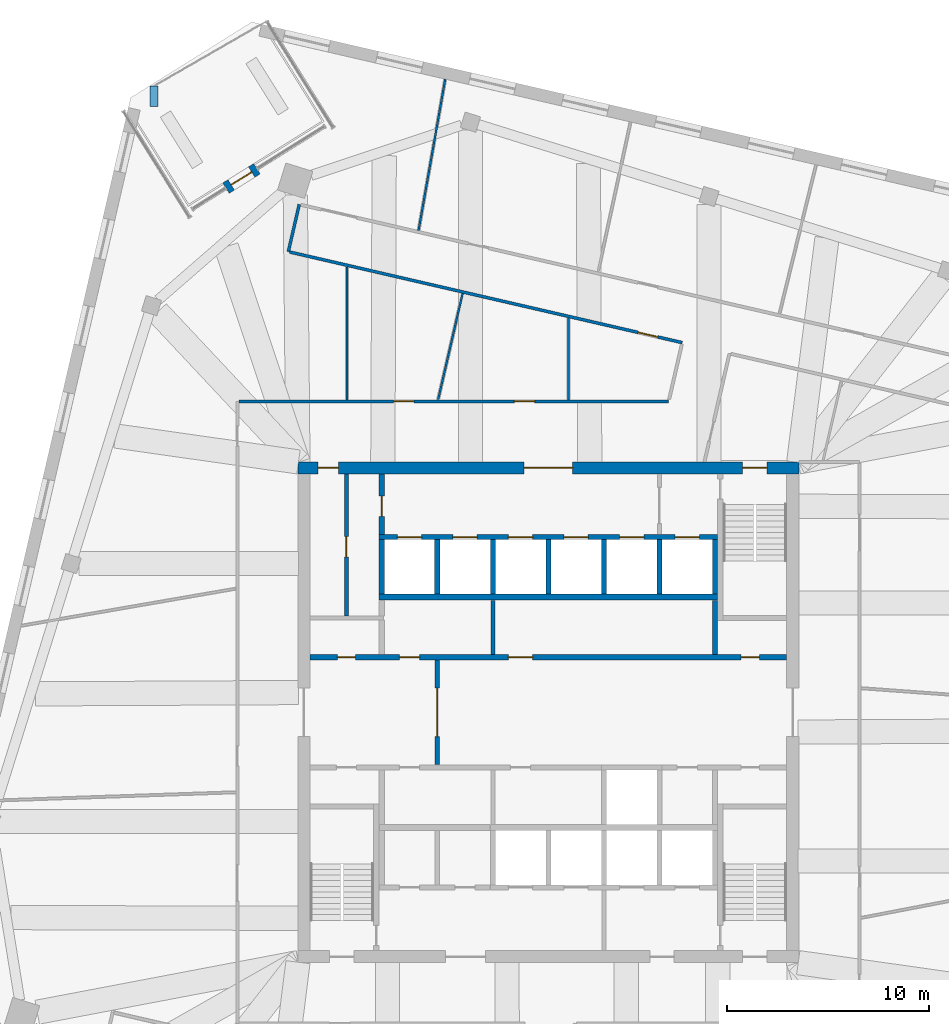
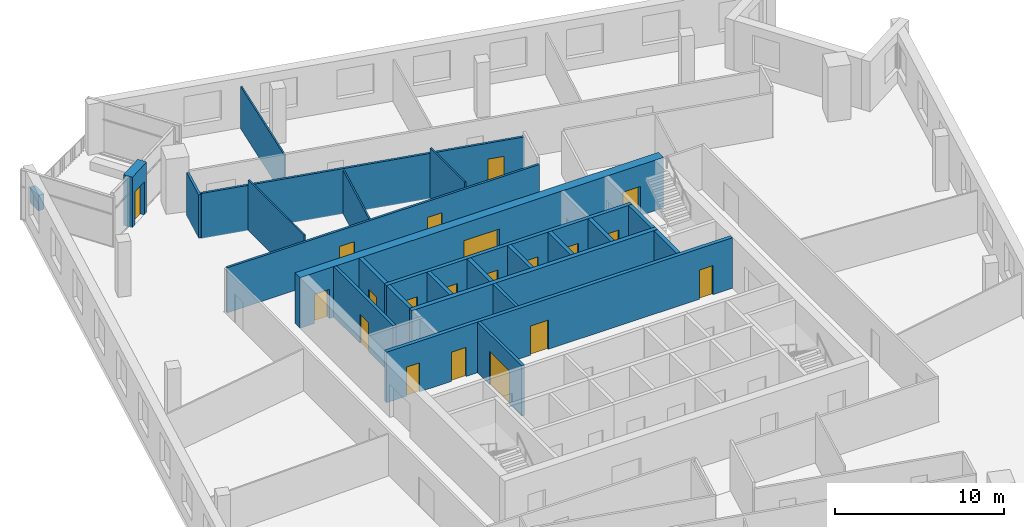
# One storey, part 9 of 14: 25 walls, 20 doors, 20 openings.
"""IFC4 building model written with IfcOpenShell, lengths in metres."""

from ifc_helpers import new_model, si_unit, direction, frame, frame_2d, origin, place, context, subcontext, project, spatial, rectangle, extrude, material, layer, layer_set, type_object, element, fill, save


model = new_model("IFC4")

# Units and contexts
model_context = context("Model", 3, precision=1e-05, world=origin(), true_north=direction((0.0, 1.0)))
body_context = subcontext(model_context, "Body", "Model", "MODEL_VIEW")
ifc_project = project(units=[si_unit("LENGTHUNIT", "METRE"), si_unit("AREAUNIT", "SQUARE_METRE"), si_unit("VOLUMEUNIT", "CUBIC_METRE"), si_unit("PLANEANGLEUNIT", "RADIAN"), si_unit("MASSUNIT", "GRAM", prefix="KILO")], contexts=[model_context])

# Site, building, storey
site_placement = place(None, origin())
site = spatial("IfcSite", under=ifc_project, at=site_placement, CompositionType="ELEMENT")
building_placement = place(site_placement, origin())
building = spatial("IfcBuilding", under=site, at=building_placement, Name="Dilmun Exchange Tower", CompositionType="ELEMENT")
storey_placement = place(building_placement, frame((0.0, 0.0, 340.5)))
storey = spatial("IfcBuildingStorey", under=building, at=storey_placement, Name="L81", CompositionType="ELEMENT", Elevation=340.5)

# Wall, opening, door
ifc_material_1 = material(Name="Concrete C40/50", Category="concrete")
ifc_layer_1 = layer(ifc_material_1, 0.199951171875)
ifc_layer_set_1 = layer_set([ifc_layer_1], Name="Concrete C40/50")
wall_type_1 = type_object("IfcWallType", Name="Core partition wall 200", PredefinedType="PARTITIONING", material=ifc_layer_set_1)
wall_1_placement = place(storey_placement, frame((-5.5, -2.594970703125, 0.0), z_axis=(0.0, 0.0, 1.0), x_axis=(0.0, 1.0, 0.0)))
wall_1 = element("IfcWall", 1, at=wall_1_placement, inside=storey, type_object=wall_type_1, Name="L81 core partition wall 11", PredefinedType="PARTITIONING", context=body_context, shape_type="SweptSolid", body=[
    extrude(rectangle(XDim=5.18994140625, YDim=0.199951171875, at=frame_2d((2.594970703125, 0.0))), origin(), (0.0, 0.0, 1.0), 3.64990234375),
])
opening_1_placement = place(wall_1_placement, frame((1.39501953125, 0.0, 0.0)))
opening_1 = element("IfcOpeningElement", 2, at=opening_1_placement, cuts=wall_1, Name="Opening CD1", PredefinedType="OPENING", context=body_context, shape_type="SweptSolid", body=[
    extrude(rectangle(XDim=2.39990234375, YDim=2.39990234375, at=frame_2d((1.199951171875, 1.199951171875))), frame((0.0, 0.10986328125, 0.0), z_axis=(0.0, -1.0, 0.0), x_axis=(1.0, 0.0, 0.0)), (0.0, 0.0, 1.0), 0.219970703125),
])
ifc_material_2 = material(Name="Fire-rated steel door set", Category="steel")
door_type_1 = type_object("IfcDoorType", Name="Core lobby door 2400x2400", OperationType="DOUBLE_DOOR_DOUBLE_SWING", PredefinedType="DOOR", material=ifc_material_2)
door_1_placement = place(opening_1_placement, origin())
door_1 = element("IfcDoor", 3, at=door_1_placement, inside=storey, type_object=door_type_1, Name="L81 door Lift lobby east", OperationType="DOUBLE_DOOR_DOUBLE_SWING", OverallHeight=2.39990234375, OverallWidth=2.39990234375, PredefinedType="DOOR", context=body_context, shape_type="SweptSolid", body=[
    extrude(rectangle(XDim=2.39990234375, YDim=2.39990234375, at=frame_2d((1.199951171875, 1.199951171875))), frame((0.0, 0.02490234375, 0.0), z_axis=(0.0, -1.0, 0.0), x_axis=(1.0, 0.0, 0.0)), (0.0, 0.0, 1.0), 0.050048828125),
])
fill(opening_1, door_1)

# Wall
wall_2_placement = place(storey_placement, frame((-2.75, 2.85498046875, 0.0), z_axis=(0.0, 0.0, 1.0), x_axis=(0.0, 1.0, 0.0)))
element("IfcWall", 4, at=wall_2_placement, inside=storey, type_object=wall_type_1, Name="L81 core partition wall 14", PredefinedType="PARTITIONING", context=body_context, shape_type="SweptSolid", body=[
    extrude(rectangle(XDim=2.68994140625, YDim=0.199951171875, at=frame_2d((1.344970703125, 0.0))), origin(), (0.0, 0.0, 1.0), 3.64990234375),
])

# Wall, opening, door
wall_3_placement = place(storey_placement, frame((-10.0, 4.780029296875, 0.0), z_axis=(0.0, 0.0, 1.0), x_axis=(0.0, 1.0, 0.0)))
wall_3 = element("IfcWall", 5, at=wall_3_placement, inside=storey, type_object=wall_type_1, Name="L81 core partition wall 17", PredefinedType="PARTITIONING", context=body_context, shape_type="SweptSolid", body=[
    extrude(rectangle(XDim=7.014892578125, YDim=0.199951171875, at=frame_2d((3.50732421875, 0.0))), origin(), (0.0, 0.0, 1.0), 3.64990234375),
])
opening_2_placement = place(wall_3_placement, frame((2.919921875, 0.0, 0.0)))
opening_2 = element("IfcOpeningElement", 6, at=opening_2_placement, cuts=wall_3, Name="Opening CD4", PredefinedType="OPENING", context=body_context, shape_type="SweptSolid", body=[
    extrude(rectangle(XDim=1.0, YDim=2.10009765625, at=frame_2d((0.5, 1.050048828125))), frame((0.0, 0.10986328125, 0.0), z_axis=(0.0, -1.0, 0.0), x_axis=(1.0, 0.0, 0.0)), (0.0, 0.0, 1.0), 0.219970703125),
])
door_type_2 = type_object("IfcDoorType", Name="Core room door 1000x2100", OperationType="SINGLE_SWING_LEFT", PredefinedType="DOOR", material=ifc_material_2)
door_2_placement = place(opening_2_placement, origin())
door_2 = element("IfcDoor", 7, at=door_2_placement, inside=storey, type_object=door_type_2, Name="L81 door Comms room", OperationType="SINGLE_SWING_RIGHT", OverallHeight=2.10009765625, OverallWidth=1.0, PredefinedType="DOOR", context=body_context, shape_type="SweptSolid", body=[
    extrude(rectangle(XDim=1.0, YDim=2.10009765625, at=frame_2d((0.5, 1.050048828125))), frame((0.0, 0.02490234375, 0.0), z_axis=(0.0, -1.0, 0.0), x_axis=(1.0, 0.0, 0.0)), (0.0, 0.0, 1.0), 0.050048828125),
])
fill(opening_2, door_2)

# Wall, openings, doors
ifc_layer_2 = layer(ifc_material_1, 0.25)
ifc_layer_set_2 = layer_set([ifc_layer_2], Name="Concrete C40/50")
wall_type_2 = type_object("IfcWallType", Name="Core partition wall 250", PredefinedType="PARTITIONING", material=ifc_layer_set_2)
wall_4_placement = place(storey_placement, frame((-11.794921875, 2.72509765625, 0.0), z_axis=(0.0, 0.0, 1.0), x_axis=(1.0, 0.0, 0.0)))
wall_4 = element("IfcWall", 8, at=wall_4_placement, inside=storey, type_object=wall_type_2, Name="L81 core partition wall 12", PredefinedType="PARTITIONING", context=body_context, shape_type="SweptSolid", body=[
    extrude(rectangle(XDim=23.58984375, YDim=0.25, at=frame_2d((11.794921875, 0.0))), origin(), (0.0, 0.0, 1.0), 3.64990234375),
])
opening_3_placement = place(wall_4_placement, frame((21.344970703125, 0.0, 0.0)))
opening_3 = element("IfcOpeningElement", 9, at=opening_3_placement, cuts=wall_4, Name="Opening CD6", PredefinedType="OPENING", context=body_context, shape_type="SweptSolid", body=[
    extrude(rectangle(XDim=0.89990234375, YDim=2.10009765625, at=frame_2d((0.449951171875, 1.050048828125))), frame((0.0, 0.135009765625, 0.0), z_axis=(0.0, -1.0, 0.0), x_axis=(1.0, 0.0, 0.0)), (0.0, 0.0, 1.0), 0.27001953125),
])
opening_4_placement = place(wall_4_placement, frame((1.344970703125, 0.0, 0.0)))
opening_4 = element("IfcOpeningElement", 10, at=opening_4_placement, cuts=wall_4, Name="Opening CD6", PredefinedType="OPENING", context=body_context, shape_type="SweptSolid", body=[
    extrude(rectangle(XDim=0.89990234375, YDim=2.10009765625, at=frame_2d((0.449951171875, 1.050048828125))), frame((0.0, 0.135009765625, 0.0), z_axis=(0.0, -1.0, 0.0), x_axis=(1.0, 0.0, 0.0)), (0.0, 0.0, 1.0), 0.27001953125),
])
opening_5_placement = place(wall_4_placement, frame((4.419921875, 0.0, 0.0)))
opening_5 = element("IfcOpeningElement", 11, at=opening_5_placement, cuts=wall_4, Name="Opening CD4", PredefinedType="OPENING", context=body_context, shape_type="SweptSolid", body=[
    extrude(rectangle(XDim=1.0, YDim=2.10009765625, at=frame_2d((0.5, 1.050048828125))), frame((0.0, 0.135009765625, 0.0), z_axis=(0.0, -1.0, 0.0), x_axis=(1.0, 0.0, 0.0)), (0.0, 0.0, 1.0), 0.27001953125),
])
opening_6_placement = place(wall_4_placement, frame((9.820068359375, 0.0, 0.0)))
opening_6 = element("IfcOpeningElement", 12, at=opening_6_placement, cuts=wall_4, Name="Opening CD3", PredefinedType="OPENING", context=body_context, shape_type="SweptSolid", body=[
    extrude(rectangle(XDim=1.199951171875, YDim=2.10009765625, at=frame_2d((0.60009765625, 1.050048828125))), frame((0.0, 0.135009765625, 0.0), z_axis=(0.0, -1.0, 0.0), x_axis=(1.0, 0.0, 0.0)), (0.0, 0.0, 1.0), 0.27001953125),
])
door_3_placement = place(opening_5_placement, origin())
door_3 = element("IfcDoor", 13, at=door_3_placement, inside=storey, type_object=door_type_2, Name="L81 door Switch room", OperationType="SINGLE_SWING_RIGHT", OverallHeight=2.10009765625, OverallWidth=1.0, PredefinedType="DOOR", context=body_context, shape_type="SweptSolid", body=[
    extrude(rectangle(XDim=1.0, YDim=2.10009765625, at=frame_2d((0.5, 1.050048828125))), frame((0.0, 0.02490234375, 0.0), z_axis=(0.0, -1.0, 0.0), x_axis=(1.0, 0.0, 0.0)), (0.0, 0.0, 1.0), 0.050048828125),
])
fill(opening_5, door_3)
door_type_3 = type_object("IfcDoorType", Name="Core room door 900x2100", OperationType="SINGLE_SWING_LEFT", PredefinedType="DOOR", material=ifc_material_2)
door_4_placement = place(opening_3_placement, origin())
door_4 = element("IfcDoor", 14, at=door_4_placement, inside=storey, type_object=door_type_3, Name="L81 door Electrical riser", OperationType="SINGLE_SWING_RIGHT", OverallHeight=2.10009765625, OverallWidth=0.89990234375, PredefinedType="DOOR", context=body_context, shape_type="SweptSolid", body=[
    extrude(rectangle(XDim=0.89990234375, YDim=2.10009765625, at=frame_2d((0.449951171875, 1.050048828125))), frame((0.0, 0.02490234375, 0.0), z_axis=(0.0, -1.0, 0.0), x_axis=(1.0, 0.0, 0.0)), (0.0, 0.0, 1.0), 0.050048828125),
])
fill(opening_3, door_4)
door_5_placement = place(opening_4_placement, origin())
door_5 = element("IfcDoor", 15, at=door_5_placement, inside=storey, type_object=door_type_3, Name="L81 door Plumbing riser", OperationType="SINGLE_SWING_RIGHT", OverallHeight=2.10009765625, OverallWidth=0.89990234375, PredefinedType="DOOR", context=body_context, shape_type="SweptSolid", body=[
    extrude(rectangle(XDim=0.89990234375, YDim=2.10009765625, at=frame_2d((0.449951171875, 1.050048828125))), frame((0.0, 0.02490234375, 0.0), z_axis=(0.0, -1.0, 0.0), x_axis=(1.0, 0.0, 0.0)), (0.0, 0.0, 1.0), 0.050048828125),
])
fill(opening_4, door_5)
door_type_4 = type_object("IfcDoorType", Name="Stair exit door 1200x2100", OperationType="SINGLE_SWING_LEFT", PredefinedType="DOOR", material=ifc_material_2)
door_6_placement = place(opening_6_placement, origin())
door_6 = element("IfcDoor", 16, at=door_6_placement, inside=storey, type_object=door_type_4, Name="L81 door Quiet working room", OperationType="SINGLE_SWING_LEFT", OverallHeight=2.10009765625, OverallWidth=1.199951171875, PredefinedType="DOOR", context=body_context, shape_type="SweptSolid", body=[
    extrude(rectangle(XDim=1.199951171875, YDim=2.10009765625, at=frame_2d((0.60009765625, 1.050048828125))), frame((0.0, 0.02490234375, 0.0), z_axis=(0.0, -1.0, 0.0), x_axis=(1.0, 0.0, 0.0)), (0.0, 0.0, 1.0), 0.050048828125),
])
fill(opening_6, door_6)

# Wall
wall_5_placement = place(storey_placement, frame((8.25, 2.85498046875, 0.0), z_axis=(0.0, 0.0, 1.0), x_axis=(0.0, 1.0, 0.0)))
element("IfcWall", 17, at=wall_5_placement, inside=storey, type_object=wall_type_2, Name="L81 core partition wall 15", PredefinedType="PARTITIONING", context=body_context, shape_type="SweptSolid", body=[
    extrude(rectangle(XDim=2.68994140625, YDim=0.25, at=frame_2d((1.344970703125, 0.0))), origin(), (0.0, 0.0, 1.0), 3.64990234375),
])

# Wall, opening, door
wall_6_placement = place(storey_placement, frame((-8.25, 8.804931640625, 0.0), z_axis=(0.0, 0.0, 1.0), x_axis=(0.0, 1.0, 0.0)))
wall_6 = element("IfcWall", 18, at=wall_6_placement, inside=storey, type_object=wall_type_2, Name="L81 core partition wall 19", PredefinedType="PARTITIONING", context=body_context, shape_type="SweptSolid", body=[
    extrude(rectangle(XDim=2.989990234375, YDim=0.25, at=frame_2d((1.4951171875, 0.0))), origin(), (0.0, 0.0, 1.0), 3.64990234375),
])
opening_7_placement = place(wall_6_placement, frame((0.89501953125, 0.0, 0.0)))
opening_7 = element("IfcOpeningElement", 19, at=opening_7_placement, cuts=wall_6, Name="Opening CD4", PredefinedType="OPENING", context=body_context, shape_type="SweptSolid", body=[
    extrude(rectangle(XDim=1.0, YDim=2.10009765625, at=frame_2d((0.5, 1.050048828125))), frame((0.0, 0.135009765625, 0.0), z_axis=(0.0, -1.0, 0.0), x_axis=(1.0, 0.0, 0.0)), (0.0, 0.0, 1.0), 0.27001953125),
])
door_7_placement = place(opening_7_placement, origin())
door_7 = element("IfcDoor", 20, at=door_7_placement, inside=storey, type_object=door_type_2, Name="L81 door Security room", OperationType="SINGLE_SWING_RIGHT", OverallHeight=2.10009765625, OverallWidth=1.0, PredefinedType="DOOR", context=body_context, shape_type="SweptSolid", body=[
    extrude(rectangle(XDim=1.0, YDim=2.10009765625, at=frame_2d((0.5, 1.050048828125))), frame((0.0, 0.02490234375, 0.0), z_axis=(0.0, -1.0, 0.0), x_axis=(1.0, 0.0, 0.0)), (0.0, 0.0, 1.0), 0.050048828125),
])
fill(opening_7, door_7)

# Wall, openings, doors
ifc_material_3 = material(Name="Concrete C50/60", Category="concrete")
ifc_layer_3 = layer(ifc_material_3, 0.60009765625)
ifc_layer_set_3 = layer_set([ifc_layer_3], Name="Concrete C50/60")
wall_type_3 = type_object("IfcWallType", Name="Core shear wall 600 Concrete C50/60", PredefinedType="SHEAR", material=ifc_layer_set_3)
wall_7_placement = place(storey_placement, frame((-12.39990234375, 12.10009765625, 0.0), z_axis=(0.0, 0.0, 1.0), x_axis=(1.0, 0.0, 0.0)))
wall_7 = element("IfcWall", 21, at=wall_7_placement, inside=storey, type_object=wall_type_3, Name="L81 core shear wall N", PredefinedType="SHEAR", context=body_context, shape_type="SweptSolid", body=[
    extrude(rectangle(XDim=24.7998046875, YDim=0.60009765625, at=frame_2d((12.39990234375, 0.0))), origin(), (0.0, 0.0, 1.0), 3.64990234375),
])
opening_8_placement = place(wall_7_placement, frame((11.199951171875, 0.0, 0.0)))
opening_8 = element("IfcOpeningElement", 22, at=opening_8_placement, cuts=wall_7, Name="Opening CD1", PredefinedType="OPENING", context=body_context, shape_type="SweptSolid", body=[
    extrude(rectangle(XDim=2.39990234375, YDim=2.39990234375, at=frame_2d((1.199951171875, 1.199951171875))), frame((0.0, 0.31005859375, 0.0), z_axis=(0.0, -1.0, 0.0), x_axis=(1.0, 0.0, 0.0)), (0.0, 0.0, 1.0), 0.6201171875),
])
opening_9_placement = place(wall_7_placement, frame((22.02490234375, 0.0, 0.0)))
opening_9 = element("IfcOpeningElement", 23, at=opening_9_placement, cuts=wall_7, Name="Opening CD3", PredefinedType="OPENING", context=body_context, shape_type="SweptSolid", body=[
    extrude(rectangle(XDim=1.199951171875, YDim=2.10009765625, at=frame_2d((0.60009765625, 1.050048828125))), frame((0.0, 0.31005859375, 0.0), z_axis=(0.0, -1.0, 0.0), x_axis=(1.0, 0.0, 0.0)), (0.0, 0.0, 1.0), 0.6201171875),
])
opening_10_placement = place(wall_7_placement, frame((1.0, 0.0, 0.0)))
opening_10 = element("IfcOpeningElement", 24, at=opening_10_placement, cuts=wall_7, Name="Opening CD4", PredefinedType="OPENING", context=body_context, shape_type="SweptSolid", body=[
    extrude(rectangle(XDim=1.0, YDim=2.10009765625, at=frame_2d((0.5, 1.050048828125))), frame((0.0, 0.31005859375, 0.0), z_axis=(0.0, -1.0, 0.0), x_axis=(1.0, 0.0, 0.0)), (0.0, 0.0, 1.0), 0.6201171875),
])
door_8_placement = place(opening_8_placement, origin())
door_8 = element("IfcDoor", 25, at=door_8_placement, inside=storey, type_object=door_type_1, Name="L81 door North lift lobby", OperationType="SINGLE_SWING_LEFT", OverallHeight=2.39990234375, OverallWidth=2.39990234375, PredefinedType="DOOR", context=body_context, shape_type="SweptSolid", body=[
    extrude(rectangle(XDim=2.39990234375, YDim=2.39990234375, at=frame_2d((1.199951171875, 1.199951171875))), frame((0.0, 0.02490234375, 0.0), z_axis=(0.0, -1.0, 0.0), x_axis=(1.0, 0.0, 0.0)), (0.0, 0.0, 1.0), 0.050048828125),
])
fill(opening_8, door_8)
door_9_placement = place(opening_10_placement, origin())
door_9 = element("IfcDoor", 26, at=door_9_placement, inside=storey, type_object=door_type_2, Name="L81 door North-west core rooms", OperationType="SINGLE_SWING_LEFT", OverallHeight=2.10009765625, OverallWidth=1.0, PredefinedType="DOOR", context=body_context, shape_type="SweptSolid", body=[
    extrude(rectangle(XDim=1.0, YDim=2.10009765625, at=frame_2d((0.5, 1.050048828125))), frame((0.0, 0.02490234375, 0.0), z_axis=(0.0, -1.0, 0.0), x_axis=(1.0, 0.0, 0.0)), (0.0, 0.0, 1.0), 0.050048828125),
])
fill(opening_10, door_9)
door_10_placement = place(opening_9_placement, origin())
door_10 = element("IfcDoor", 27, at=door_10_placement, inside=storey, type_object=door_type_4, Name="L81 door Stair ST1", OperationType="SINGLE_SWING_LEFT", OverallHeight=2.10009765625, OverallWidth=1.199951171875, PredefinedType="DOOR", context=body_context, shape_type="SweptSolid", body=[
    extrude(rectangle(XDim=1.199951171875, YDim=2.10009765625, at=frame_2d((0.60009765625, 1.050048828125))), frame((0.0, 0.02490234375, 0.0), z_axis=(0.0, -1.0, 0.0), x_axis=(1.0, 0.0, 0.0)), (0.0, 0.0, 1.0), 0.050048828125),
])
fill(opening_9, door_10)

ifc_material_4 = material(Name="Corridor wall 150")
ifc_layer_4 = layer(ifc_material_4, 0.14990234375)
ifc_layer_set_4 = layer_set([ifc_layer_4], Name="Corridor wall 150")
wall_type_4 = type_object("IfcWallType", Name="Corridor wall 150", PredefinedType="PARTITIONING", material=ifc_layer_set_4)
wall_8_placement = place(storey_placement, frame((-15.324951171875, 15.39990234375, 0.0), z_axis=(0.0, 0.0, 1.0), x_axis=(1.0, 0.0, 0.0)))
wall_8 = element("IfcWall", 28, at=wall_8_placement, inside=storey, type_object=wall_type_4, Name="Corridor wall", PredefinedType="PARTITIONING", context=body_context, shape_type="SweptSolid", body=[
    extrude(rectangle(XDim=21.284912109375, YDim=0.14990234375, at=frame_2d((10.642578125, 0.0))), origin(), (0.0, 0.0, 1.0), 3.25),
])
opening_11_placement = place(wall_8_placement, frame((7.665283203125, 0.0, 0.0)))
opening_11 = element("IfcOpeningElement", 29, at=opening_11_placement, cuts=wall_8, Name="Opening TF79-D07", PredefinedType="OPENING", context=body_context, shape_type="SweptSolid", body=[
    extrude(rectangle(XDim=1.0, YDim=2.10009765625, at=frame_2d((0.5, 1.050048828125))), frame((0.0, 0.0849609375, 0.0), z_axis=(0.0, -1.0, 0.0), x_axis=(1.0, 0.0, 0.0)), (0.0, 0.0, 1.0), 0.169921875),
])
opening_12_placement = place(wall_8_placement, frame((13.646728515625, 0.0, 0.0)))
opening_12 = element("IfcOpeningElement", 30, at=opening_12_placement, cuts=wall_8, Name="Opening TF79-D09", PredefinedType="OPENING", context=body_context, shape_type="SweptSolid", body=[
    extrude(rectangle(XDim=1.0, YDim=2.10009765625, at=frame_2d((0.5, 1.050048828125))), frame((0.0, 0.0849609375, 0.0), z_axis=(0.0, -1.0, 0.0), x_axis=(1.0, 0.0, 0.0)), (0.0, 0.0, 1.0), 0.169921875),
])
ifc_material_5 = material(Name="Fire door 1000 x 2100")
door_type_5 = type_object("IfcDoorType", Name="Fire door 1000 x 2100", OperationType="NOTDEFINED", PredefinedType="DOOR", material=ifc_material_5)
door_11_placement = place(opening_11_placement, origin())
door_11 = element("IfcDoor", 31, at=door_11_placement, inside=storey, type_object=door_type_5, Name="Door TF79-D07", OperationType="SINGLE_SWING_LEFT", OverallHeight=2.10009765625, OverallWidth=1.0, PredefinedType="DOOR", context=body_context, shape_type="SweptSolid", body=[
    extrude(rectangle(XDim=1.0, YDim=2.10009765625, at=frame_2d((0.5, 1.050048828125))), frame((0.0, 0.02490234375, 0.0), z_axis=(0.0, -1.0, 0.0), x_axis=(1.0, 0.0, 0.0)), (0.0, 0.0, 1.0), 0.050048828125),
])
fill(opening_11, door_11)
door_12_placement = place(opening_12_placement, origin())
door_12 = element("IfcDoor", 32, at=door_12_placement, inside=storey, type_object=door_type_5, Name="Door TF79-D09", OperationType="SINGLE_SWING_RIGHT", OverallHeight=2.10009765625, OverallWidth=1.0, PredefinedType="DOOR", context=body_context, shape_type="SweptSolid", body=[
    extrude(rectangle(XDim=1.0, YDim=2.10009765625, at=frame_2d((0.5, 1.050048828125))), frame((0.0, 0.02490234375, 0.0), z_axis=(0.0, -1.0, 0.0), x_axis=(1.0, 0.0, 0.0)), (0.0, 0.0, 1.0), 0.050048828125),
])
fill(opening_12, door_12)

# Wall
wall_9_placement = place(storey_placement, frame((-12.875, 22.806884765625, 0.0), z_axis=(0.0, 0.0, 1.0), x_axis=(0.224956061598, 0.974368908756, 0.0)))
element("IfcWall", 33, at=wall_9_placement, inside=storey, type_object=wall_type_4, Name="Corridor wall", PredefinedType="PARTITIONING", context=body_context, shape_type="SweptSolid", body=[
    extrude(rectangle(XDim=2.400634765625, YDim=0.14990234375, at=frame_2d((1.2001953125, 0.0))), origin(), (0.0, 0.0, 1.0), 3.1298828125),
])

# Wall, opening, door
wall_10_placement = place(storey_placement, frame((-12.802001953125, 22.7900390625, 0.0), z_axis=(0.0, 0.0, 1.0), x_axis=(0.974371384758, -0.224945336838, 0.0)))
wall_10 = element("IfcWall", 34, at=wall_10_placement, inside=storey, type_object=wall_type_4, Name="Corridor wall", PredefinedType="PARTITIONING", context=body_context, shape_type="SweptSolid", body=[
    extrude(rectangle(XDim=19.943115234375, YDim=0.14990234375, at=frame_2d((9.9716796875, 0.0))), origin(), (0.0, 0.0, 1.0), 3.25),
])
opening_13_placement = place(wall_10_placement, frame((17.705078125, 0.0, 0.0)))
opening_13 = element("IfcOpeningElement", 35, at=opening_13_placement, cuts=wall_10, Name="Opening TF79-D12", PredefinedType="OPENING", context=body_context, shape_type="SweptSolid", body=[
    extrude(rectangle(XDim=1.0, YDim=2.10009765625, at=frame_2d((0.5, 1.050048828125))), frame((0.0, 0.0849609375, 0.0), z_axis=(0.0, -1.0, 0.0), x_axis=(1.0, 0.0, 0.0)), (0.0, 0.0, 1.0), 0.169921875),
])
door_13_placement = place(opening_13_placement, frame((1.0, 0.0, 0.0), z_axis=(0.0, 0.0, 1.0), x_axis=(-1.0, 0.0, 0.0)))
door_13 = element("IfcDoor", 36, at=door_13_placement, inside=storey, type_object=door_type_5, Name="Door TF79-D12", OperationType="SINGLE_SWING_RIGHT", OverallHeight=2.10009765625, OverallWidth=1.0, PredefinedType="DOOR", context=body_context, shape_type="SweptSolid", body=[
    extrude(rectangle(XDim=1.0, YDim=2.10009765625, at=frame_2d((0.5, 1.050048828125))), frame((0.0, 0.02490234375, 0.0), z_axis=(0.0, -1.0, 0.0), x_axis=(1.0, 0.0, 0.0)), (0.0, 0.0, 1.0), 0.050048828125),
])
fill(opening_13, door_13)

# Wall
ifc_layer_5 = layer(ifc_material_1, 0.300048828125)
ifc_layer_set_5 = layer_set([ifc_layer_5], Name="Concrete C40/50")
wall_type_5 = type_object("IfcWallType", Name="Lift shaft shared wall 300", PredefinedType="SOLIDWALL", material=ifc_layer_set_5)
wall_11_placement = place(storey_placement, frame((-8.375, 5.699951171875, 0.0), z_axis=(0.0, 0.0, 1.0), x_axis=(1.0, 0.0, 0.0)))
element("IfcWall", 37, at=wall_11_placement, inside=storey, type_object=wall_type_5, Name="L81 lift shaft rear wall N", PredefinedType="SOLIDWALL", context=body_context, shape_type="SweptSolid", body=[
    extrude(rectangle(XDim=16.75, YDim=0.300048828125, at=frame_2d((8.375, 0.0))), origin(), (0.0, 0.0, 1.0), 3.64990234375),
])

# Wall, openings, doors
ifc_layer_6 = layer(ifc_material_1, 0.25)
ifc_layer_set_6 = layer_set([ifc_layer_6], Name="Concrete C40/50")
wall_type_6 = type_object("IfcWallType", Name="Lift shaft wall 250", PredefinedType="SOLIDWALL", material=ifc_layer_set_6)
wall_12_placement = place(storey_placement, frame((-8.375, 8.675048828125, 0.0), z_axis=(0.0, 0.0, 1.0), x_axis=(1.0, 0.0, 0.0)))
wall_12 = element("IfcWall", 38, at=wall_12_placement, inside=storey, type_object=wall_type_6, Name="L81 lift shaft front wall N2", PredefinedType="SOLIDWALL", context=body_context, shape_type="SweptSolid", body=[
    extrude(rectangle(XDim=16.75, YDim=0.25, at=frame_2d((8.375, 0.0))), origin(), (0.0, 0.0, 1.0), 3.64990234375),
])
opening_14_placement = place(wall_12_placement, frame((0.89990234375, 0.0, 0.0)))
opening_14 = element("IfcOpeningElement", 39, at=opening_14_placement, cuts=wall_12, Name="Opening LD", PredefinedType="OPENING", context=body_context, shape_type="SweptSolid", body=[
    extrude(rectangle(XDim=1.199951171875, YDim=2.10009765625, at=frame_2d((0.60009765625, 1.050048828125))), frame((0.0, 0.135009765625, 0.0), z_axis=(0.0, -1.0, 0.0), x_axis=(1.0, 0.0, 0.0)), (0.0, 0.0, 1.0), 0.27001953125),
])
opening_15_placement = place(wall_12_placement, frame((3.64990234375, 0.0, 0.0)))
opening_15 = element("IfcOpeningElement", 40, at=opening_15_placement, cuts=wall_12, Name="Opening LD", PredefinedType="OPENING", context=body_context, shape_type="SweptSolid", body=[
    extrude(rectangle(XDim=1.199951171875, YDim=2.10009765625, at=frame_2d((0.60009765625, 1.050048828125))), frame((0.0, 0.135009765625, 0.0), z_axis=(0.0, -1.0, 0.0), x_axis=(1.0, 0.0, 0.0)), (0.0, 0.0, 1.0), 0.27001953125),
])
opening_16_placement = place(wall_12_placement, frame((6.39990234375, 0.0, 0.0)))
opening_16 = element("IfcOpeningElement", 41, at=opening_16_placement, cuts=wall_12, Name="Opening LD", PredefinedType="OPENING", context=body_context, shape_type="SweptSolid", body=[
    extrude(rectangle(XDim=1.199951171875, YDim=2.10009765625, at=frame_2d((0.60009765625, 1.050048828125))), frame((0.0, 0.135009765625, 0.0), z_axis=(0.0, -1.0, 0.0), x_axis=(1.0, 0.0, 0.0)), (0.0, 0.0, 1.0), 0.27001953125),
])
opening_17_placement = place(wall_12_placement, frame((9.14990234375, 0.0, 0.0)))
opening_17 = element("IfcOpeningElement", 42, at=opening_17_placement, cuts=wall_12, Name="Opening LD", PredefinedType="OPENING", context=body_context, shape_type="SweptSolid", body=[
    extrude(rectangle(XDim=1.199951171875, YDim=2.10009765625, at=frame_2d((0.60009765625, 1.050048828125))), frame((0.0, 0.135009765625, 0.0), z_axis=(0.0, -1.0, 0.0), x_axis=(1.0, 0.0, 0.0)), (0.0, 0.0, 1.0), 0.27001953125),
])
opening_18_placement = place(wall_12_placement, frame((11.89990234375, 0.0, 0.0)))
opening_18 = element("IfcOpeningElement", 43, at=opening_18_placement, cuts=wall_12, Name="Opening LD", PredefinedType="OPENING", context=body_context, shape_type="SweptSolid", body=[
    extrude(rectangle(XDim=1.199951171875, YDim=2.10009765625, at=frame_2d((0.60009765625, 1.050048828125))), frame((0.0, 0.135009765625, 0.0), z_axis=(0.0, -1.0, 0.0), x_axis=(1.0, 0.0, 0.0)), (0.0, 0.0, 1.0), 0.27001953125),
])
opening_19_placement = place(wall_12_placement, frame((14.64990234375, 0.0, 0.0)))
opening_19 = element("IfcOpeningElement", 44, at=opening_19_placement, cuts=wall_12, Name="Opening LD", PredefinedType="OPENING", context=body_context, shape_type="SweptSolid", body=[
    extrude(rectangle(XDim=1.199951171875, YDim=2.10009765625, at=frame_2d((0.60009765625, 1.050048828125))), frame((0.0, 0.135009765625, 0.0), z_axis=(0.0, -1.0, 0.0), x_axis=(1.0, 0.0, 0.0)), (0.0, 0.0, 1.0), 0.27001953125),
])
door_type_6 = type_object("IfcDoorType", Name="Lift landing door 1200x2100", OperationType="DOUBLE_DOOR_SLIDING", PredefinedType="DOOR", material=ifc_material_2)
door_14_placement = place(opening_14_placement, origin())
door_14 = element("IfcDoor", 45, at=door_14_placement, inside=storey, type_object=door_type_6, Name="L81 landing door HR1", OperationType="DOUBLE_DOOR_SLIDING", OverallHeight=2.10009765625, OverallWidth=1.199951171875, PredefinedType="DOOR", context=body_context, shape_type="SweptSolid", body=[
    extrude(rectangle(XDim=1.199951171875, YDim=2.10009765625, at=frame_2d((0.60009765625, 1.050048828125))), frame((0.0, 0.02490234375, 0.0), z_axis=(0.0, -1.0, 0.0), x_axis=(1.0, 0.0, 0.0)), (0.0, 0.0, 1.0), 0.050048828125),
])
fill(opening_14, door_14)
door_15_placement = place(opening_15_placement, origin())
door_15 = element("IfcDoor", 46, at=door_15_placement, inside=storey, type_object=door_type_6, Name="L81 landing door HR2", OperationType="DOUBLE_DOOR_SLIDING", OverallHeight=2.10009765625, OverallWidth=1.199951171875, PredefinedType="DOOR", context=body_context, shape_type="SweptSolid", body=[
    extrude(rectangle(XDim=1.199951171875, YDim=2.10009765625, at=frame_2d((0.60009765625, 1.050048828125))), frame((0.0, 0.02490234375, 0.0), z_axis=(0.0, -1.0, 0.0), x_axis=(1.0, 0.0, 0.0)), (0.0, 0.0, 1.0), 0.050048828125),
])
fill(opening_15, door_15)
door_16_placement = place(opening_16_placement, origin())
door_16 = element("IfcDoor", 47, at=door_16_placement, inside=storey, type_object=door_type_6, Name="L81 landing door HR3", OperationType="DOUBLE_DOOR_SLIDING", OverallHeight=2.10009765625, OverallWidth=1.199951171875, PredefinedType="DOOR", context=body_context, shape_type="SweptSolid", body=[
    extrude(rectangle(XDim=1.199951171875, YDim=2.10009765625, at=frame_2d((0.60009765625, 1.050048828125))), frame((0.0, 0.02490234375, 0.0), z_axis=(0.0, -1.0, 0.0), x_axis=(1.0, 0.0, 0.0)), (0.0, 0.0, 1.0), 0.050048828125),
])
fill(opening_16, door_16)
door_17_placement = place(opening_17_placement, origin())
door_17 = element("IfcDoor", 48, at=door_17_placement, inside=storey, type_object=door_type_6, Name="L81 landing door HR4", OperationType="DOUBLE_DOOR_SLIDING", OverallHeight=2.10009765625, OverallWidth=1.199951171875, PredefinedType="DOOR", context=body_context, shape_type="SweptSolid", body=[
    extrude(rectangle(XDim=1.199951171875, YDim=2.10009765625, at=frame_2d((0.60009765625, 1.050048828125))), frame((0.0, 0.02490234375, 0.0), z_axis=(0.0, -1.0, 0.0), x_axis=(1.0, 0.0, 0.0)), (0.0, 0.0, 1.0), 0.050048828125),
])
fill(opening_17, door_17)
door_18_placement = place(opening_18_placement, origin())
door_18 = element("IfcDoor", 49, at=door_18_placement, inside=storey, type_object=door_type_6, Name="L81 landing door HR5", OperationType="DOUBLE_DOOR_SLIDING", OverallHeight=2.10009765625, OverallWidth=1.199951171875, PredefinedType="DOOR", context=body_context, shape_type="SweptSolid", body=[
    extrude(rectangle(XDim=1.199951171875, YDim=2.10009765625, at=frame_2d((0.60009765625, 1.050048828125))), frame((0.0, 0.02490234375, 0.0), z_axis=(0.0, -1.0, 0.0), x_axis=(1.0, 0.0, 0.0)), (0.0, 0.0, 1.0), 0.050048828125),
])
fill(opening_18, door_18)
door_19_placement = place(opening_19_placement, origin())
door_19 = element("IfcDoor", 50, at=door_19_placement, inside=storey, type_object=door_type_6, Name="L81 landing door HR6", OperationType="DOUBLE_DOOR_SLIDING", OverallHeight=2.10009765625, OverallWidth=1.199951171875, PredefinedType="DOOR", context=body_context, shape_type="SweptSolid", body=[
    extrude(rectangle(XDim=1.199951171875, YDim=2.10009765625, at=frame_2d((0.60009765625, 1.050048828125))), frame((0.0, 0.02490234375, 0.0), z_axis=(0.0, -1.0, 0.0), x_axis=(1.0, 0.0, 0.0)), (0.0, 0.0, 1.0), 0.050048828125),
])
fill(opening_19, door_19)

# Walls
for number, where, z_axis, x_axis, name in (
    (51, (-8.25, 5.85009765625, 0.0), (0.0, 0.0, 1.0), (0.0, 1.0, 0.0), "L81 lift shaft divider N20"),
    (52, (-5.5, 5.85009765625, 0.0), (0.0, 0.0, 1.0), (0.0, 1.0, 0.0), "L81 lift shaft divider N21"),
    (53, (-2.75, 5.85009765625, 0.0), (0.0, 0.0, 1.0), (0.0, 1.0, 0.0), "L81 lift shaft divider N22"),
    (54, (0.0, 5.85009765625, 0.0), (0.0, 0.0, 1.0), (0.0, 1.0, 0.0), "L81 lift shaft divider N23"),
    (55, (2.75, 5.85009765625, 0.0), (0.0, 0.0, 1.0), (0.0, 1.0, 0.0), "L81 lift shaft divider N24"),
    (56, (5.5, 5.85009765625, 0.0), (0.0, 0.0, 1.0), (0.0, 1.0, 0.0), "L81 lift shaft divider N25"),
    (57, (8.25, 5.85009765625, 0.0), (0.0, 0.0, 1.0), (0.0, 1.0, 0.0), "L81 lift shaft divider N26"),
):
    element("IfcWall", number, at=place(storey_placement, frame(where, z_axis=z_axis, x_axis=x_axis)), inside=storey, type_object=wall_type_6, Name=name, PredefinedType="SOLIDWALL", context=body_context, shape_type="SweptSolid", body=[
        extrude(rectangle(XDim=2.699951171875, YDim=0.25, at=frame_2d((1.35009765625, 0.0))), origin(), (0.0, 0.0, 1.0), 3.64990234375),
    ])
ifc_material_6 = material(Name="Partition 100")
ifc_layer_7 = layer(ifc_material_6, 0.10009765625)
ifc_layer_set_7 = layer_set([ifc_layer_7], Name="Partition 100")
wall_type_7 = type_object("IfcWallType", Name="Partition 100", PredefinedType="PARTITIONING", material=ifc_layer_set_7)
wall_13_placement = place(storey_placement, frame((-9.9599609375, 15.47509765625, 0.0), z_axis=(0.0, 0.0, 1.0), x_axis=(0.0, 1.0, 0.0)))
element("IfcWall", 58, at=wall_13_placement, inside=storey, type_object=wall_type_7, Name="Partition", PredefinedType="PARTITIONING", context=body_context, shape_type="SweptSolid", body=[
    extrude(rectangle(XDim=6.5703125, YDim=0.10009765625, at=frame_2d((3.28515625, 0.0))), origin(), (0.0, 0.0, 1.0), 3.64990234375),
])
wall_14_placement = place(storey_placement, frame((-6.425537109375, 23.861572265625, 0.0), z_axis=(0.0, 0.0, 1.0), x_axis=(0.173571031003, 0.984821352935, 0.0)))
element("IfcWall", 59, at=wall_14_placement, inside=storey, type_object=wall_type_7, Name="Partition", PredefinedType="PARTITIONING", context=body_context, shape_type="SweptSolid", body=[
    extrude(rectangle(XDim=7.60400390625, YDim=0.10009765625, at=frame_2d((3.802001953125, 0.0))), origin(), (0.0, 0.0, 1.0), 3.050048828125),
])
wall_15_placement = place(storey_placement, frame((-5.4580078125, 15.486083984375, 0.0), z_axis=(0.0, 0.0, 1.0), x_axis=(0.224899204936, 0.974382033711, 0.0)))
element("IfcWall", 60, at=wall_15_placement, inside=storey, type_object=wall_type_7, Name="Partition", PredefinedType="PARTITIONING", context=body_context, shape_type="SweptSolid", body=[
    extrude(rectangle(XDim=5.389892578125, YDim=0.10009765625, at=frame_2d((2.69482421875, 0.0))), origin(), (0.0, 0.0, 1.0), 3.1298828125),
])
wall_16_placement = place(storey_placement, frame((0.989990234375, 15.47509765625, 0.0), z_axis=(0.0, 0.0, 1.0), x_axis=(0.0, 1.0, 0.0)))
element("IfcWall", 61, at=wall_16_placement, inside=storey, type_object=wall_type_7, Name="Partition", PredefinedType="PARTITIONING", context=body_context, shape_type="SweptSolid", body=[
    extrude(rectangle(XDim=4.04248046875, YDim=0.10009765625, at=frame_2d((2.021240234375, 0.0))), origin(), (0.0, 0.0, 1.0), 3.64990234375),
])

# Wall, opening, door
ifc_material_7 = material(Name="Precast concrete C50/60", Category="concrete")
ifc_layer_8 = layer(ifc_material_7, 0.60009765625)
ifc_layer_set_8 = layer_set([ifc_layer_8], Name="Precast concrete C50/60")
wall_type_8 = type_object("IfcWallType", Name="Precast stone-clad wall 600", PredefinedType="STANDARD", material=ifc_layer_set_8)
wall_17_placement = place(storey_placement, frame((-14.43212890625, 26.910888671875, 0.0), z_axis=(0.0, 0.0, 1.0), x_axis=(-0.848005922786, -0.529986749759, 0.0)))
wall_17 = element("IfcWall", 62, at=wall_17_placement, inside=storey, type_object=wall_type_8, Name="Facade wall L81-01-D", PredefinedType="STANDARD", context=body_context, shape_type="SweptSolid", body=[
    extrude(rectangle(XDim=1.80029296875, YDim=0.60009765625, at=frame_2d((0.900146484375, 0.0))), origin(), (0.0, 0.0, 1.0), 3.64990234375),
])
opening_20_placement = place(wall_17_placement, frame((0.300048828125, 0.0, 0.0)))
opening_20 = element("IfcOpeningElement", 63, at=opening_20_placement, cuts=wall_17, Name="Opening GD-1", PredefinedType="OPENING", context=body_context, shape_type="SweptSolid", body=[
    extrude(rectangle(XDim=1.199951171875, YDim=2.39990234375, at=frame_2d((0.60009765625, 1.199951171875))), frame((0.0, 0.31005859375, 0.0), z_axis=(0.0, -1.0, 0.0), x_axis=(1.0, 0.0, 0.0)), (0.0, 0.0, 1.0), 0.6201171875),
])
ifc_material_8 = material(Name="Clear low-emissivity glass in aluminium frame", Category="aluminium")
door_type_7 = type_object("IfcDoorType", Name="Glazed garden door 1200 x 2400", OperationType="SINGLE_SWING_LEFT", PredefinedType="DOOR", material=ifc_material_8)
door_20_placement = place(opening_20_placement, origin())
door_20 = element("IfcDoor", 64, at=door_20_placement, inside=storey, type_object=door_type_7, Name="Garden terrace door", OperationType="SINGLE_SWING_LEFT", OverallHeight=2.39990234375, OverallWidth=1.199951171875, PredefinedType="DOOR", context=body_context, shape_type="SweptSolid", body=[
    extrude(rectangle(XDim=1.199951171875, YDim=2.39990234375, at=frame_2d((0.60009765625, 1.199951171875))), frame((0.0, 0.02490234375, 0.0), z_axis=(0.0, -1.0, 0.0), x_axis=(1.0, 0.0, 0.0)), (0.0, 0.0, 1.0), 0.050048828125),
])
fill(opening_20, door_20)

# Wall
ifc_layer_9 = layer(ifc_material_7, 0.39990234375)
ifc_layer_set_9 = layer_set([ifc_layer_9], Name="Precast concrete C50/60")
wall_type_9 = type_object("IfcWallType", Name="Terrace upstand wall 400", PredefinedType="PARAPET", material=ifc_layer_set_9)
wall_18_placement = place(storey_placement, frame((-19.534423828125, 31.009033203125, 0.0), z_axis=(0.0, 0.0, 1.0), x_axis=(0.0, -1.0, 0.0)))
element("IfcWall", 65, at=wall_18_placement, inside=storey, type_object=wall_type_9, Name="Terrace upstand wall 1", PredefinedType="PARAPET", context=body_context, shape_type="SweptSolid", body=[
    extrude(rectangle(XDim=1.009033203125, YDim=0.39990234375, at=frame_2d((0.50439453125, 0.0))), origin(), (0.0, 0.0, 1.0), 1.10009765625),
])

save(model, "model.ifc")
